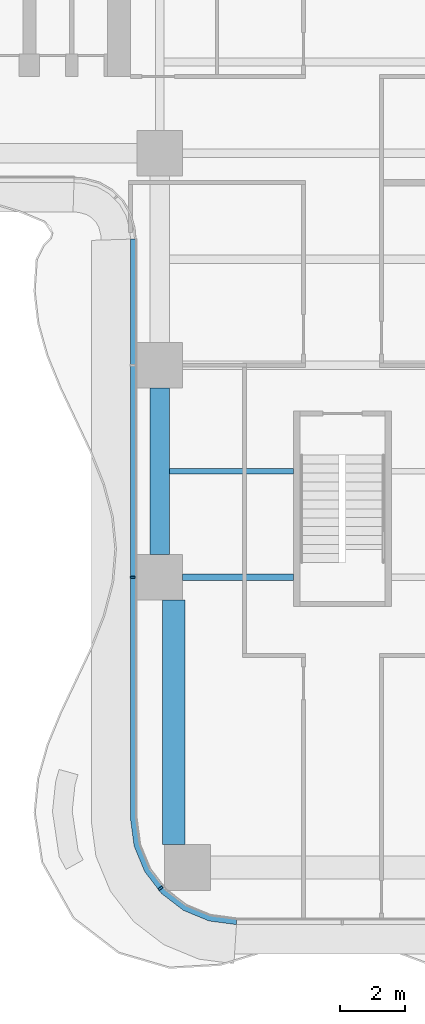
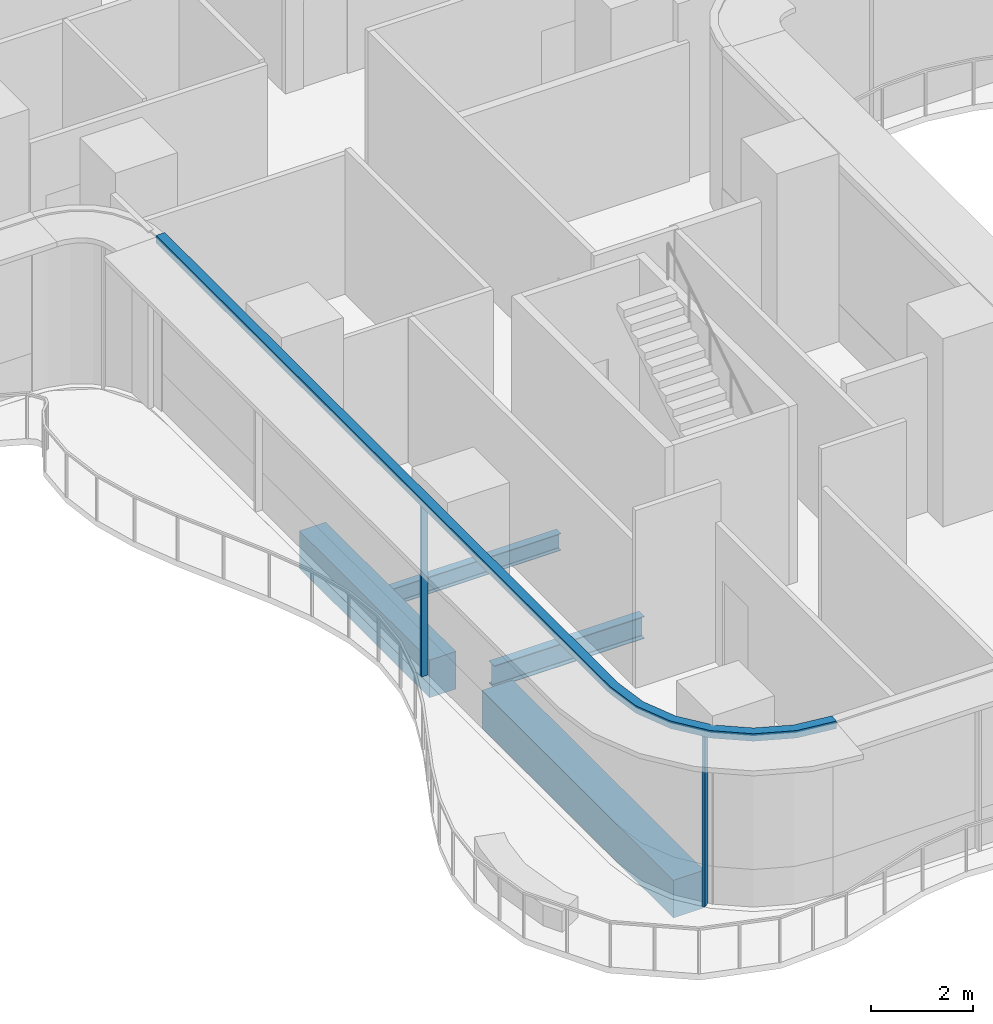
# One storey, part 2 of 23: 4 beams, 3 members, 1 element without a shape of its own.
"""IFC4 building model written with IfcOpenShell, lengths in metres."""

from ifc_helpers import new_model, si_unit, direction, frame, origin, origin_2d, place, context, subcontext, project, spatial, polyline, rectangle, i_section, outline, extrude, source, transform, mapped, material, layer, layer_set, material_profile, profile_set, type_object, element, aggregate, save


model = new_model("IFC4")

# Units and contexts
model_context = context("Model", 3, precision=1e-05, world=origin(), true_north=direction((0.0, 1.0)))
body_context = subcontext(model_context, "Body", "Model", "MODEL_VIEW")
ifc_project = project(units=[si_unit("LENGTHUNIT", "METRE"), si_unit("AREAUNIT", "SQUARE_METRE"), si_unit("VOLUMEUNIT", "CUBIC_METRE"), si_unit("PLANEANGLEUNIT", "RADIAN"), si_unit("MASSUNIT", "GRAM", prefix="KILO")], contexts=[model_context])

# Site, building, storey
site_placement = place(None, origin())
site = spatial("IfcSite", under=ifc_project, at=site_placement, CompositionType="ELEMENT")
building_placement = place(site_placement, origin())
building = spatial("IfcBuilding", under=site, at=building_placement, Name="Trellis Farm Tower", CompositionType="ELEMENT")
storey_placement = place(building_placement, frame((0.0, 0.0, 83.5)))
storey = spatial("IfcBuildingStorey", under=building, at=storey_placement, Name="L17", CompositionType="ELEMENT", Elevation=83.5)

# Beams
ifc_material_1 = material(Name="Steel S355", Category="steel")
ifc_material_profile_1 = material_profile(ifc_material_1, i_section(OverallWidth=0.209228515625, OverallDepth=0.533203125, WebThickness=0.010009765625, FlangeThickness=0.015625, FilletRadius=0.0126953125, at=origin_2d()), Name="UB 533x210x92")
ifc_profile_set_1 = profile_set([ifc_material_profile_1], Name="Steel S355")
beam_type_1 = type_object("IfcBeamType", Name="UB 533x210x92", PredefinedType="BEAM", material=ifc_profile_set_1)
shared_shape_1 = source(origin(), body_context, "Body", "SweptSolid", [
    extrude(i_section(OverallWidth=0.209228515625, OverallDepth=0.533203125, WebThickness=0.010009765625, FlangeThickness=0.015625, FilletRadius=0.0126953125, at=origin_2d()), origin(), (0.0, 0.0, 1.0), 3.39990234375),
])
beam_1_placement = place(storey_placement, frame((-4.89990234375, -18.60009765625, -0.5166015625), z_axis=(1.0, 0.0, 0.0), x_axis=(0.0, 1.0, 0.0)))
element("IfcBeam", 1, at=beam_1_placement, inside=storey, type_object=beam_type_1, Name="Girder", PredefinedType="BEAM", context=body_context, shape_type="MappedRepresentation", body=[
    mapped(shared_shape_1, transform((0.0, 0.0, 0.0))),
])
ifc_material_2 = material(Name="Concrete C60/75", Category="concrete")
ifc_material_profile_2 = material_profile(ifc_material_2, rectangle(XDim=0.60009765625, YDim=0.89990234375, at=origin_2d()), Name="RC spandrel beam 600x900 C60/75")
ifc_profile_set_2 = profile_set([ifc_material_profile_2], Name="Concrete C60/75")
beam_type_2 = type_object("IfcBeamType", Name="RC spandrel beam 600x900 C60/75", PredefinedType="SPANDREL", material=ifc_profile_set_2)
shared_shape_2 = source(origin(), body_context, "Body", "SweptSolid", [
    extrude(rectangle(XDim=0.60009765625, YDim=0.89990234375, at=origin_2d()), origin(), (0.0, 0.0, 1.0), 5.099853515625),
])
beam_2_placement = place(storey_placement, frame((-5.60009765625, -17.89990234375, -0.699951171875), z_axis=(0.0, 1.0, 0.0), x_axis=(-1.0, 0.0, 0.0)))
element("IfcBeam", 2, at=beam_2_placement, inside=storey, type_object=beam_type_2, Name="Girder", PredefinedType="SPANDREL", context=body_context, shape_type="MappedRepresentation", body=[
    mapped(shared_shape_2, transform((0.0, 0.0, 0.0))),
])
ifc_material_profile_3 = material_profile(ifc_material_2, rectangle(XDim=0.699951171875, YDim=0.89990234375, at=origin_2d()), Name="RC spandrel beam 700x900 C60/75")
ifc_profile_set_3 = profile_set([ifc_material_profile_3], Name="Concrete C60/75")
beam_type_3 = type_object("IfcBeamType", Name="RC spandrel beam 700x900 C60/75", PredefinedType="SPANDREL", material=ifc_profile_set_3)
shared_shape_3 = source(origin(), body_context, "Body", "SweptSolid", [
    extrude(rectangle(XDim=0.699951171875, YDim=0.89990234375, at=origin_2d()), origin(), (0.0, 0.0, 1.0), 7.5),
])
beam_3_placement = place(storey_placement, frame((-5.175048828125, -26.800048828125, -0.699951171875), z_axis=(0.0, 1.0, 0.0), x_axis=(-1.0, 0.0, 0.0)))
element("IfcBeam", 3, at=beam_3_placement, inside=storey, type_object=beam_type_3, Name="Girder", PredefinedType="SPANDREL", context=body_context, shape_type="MappedRepresentation", body=[
    mapped(shared_shape_3, transform((0.0, 0.0, 0.0))),
])
ifc_material_profile_4 = material_profile(ifc_material_1, i_section(OverallWidth=0.177978515625, OverallDepth=0.406494140625, WebThickness=0.0078125, FlangeThickness=0.0126953125, FilletRadius=0.01025390625, at=origin_2d()), Name="UB 406x178x60")
ifc_profile_set_4 = profile_set([ifc_material_profile_4], Name="Steel S355")
beam_type_4 = type_object("IfcBeamType", Name="UB 406x178x60 joist", PredefinedType="JOIST", material=ifc_profile_set_4)
shared_shape_4 = source(origin(), body_context, "Body", "SweptSolid", [
    extrude(i_section(OverallWidth=0.177978515625, OverallDepth=0.406494140625, WebThickness=0.0078125, FlangeThickness=0.0126953125, FilletRadius=0.01025390625, at=origin_2d()), origin(), (0.0, 0.0, 1.0), 3.800048828125),
])
beam_4_placement = place(storey_placement, frame((-5.300048828125, -15.35009765625, -0.453125), z_axis=(1.0, 0.0, 0.0), x_axis=(0.0, 1.0, 0.0)))
element("IfcBeam", 4, at=beam_4_placement, inside=storey, type_object=beam_type_4, Name="Floor beam", PredefinedType="JOIST", context=body_context, shape_type="MappedRepresentation", body=[
    mapped(shared_shape_4, transform((0.0, 0.0, 0.0))),
])

# Curtain wall, members
ifc_material_3 = material(Name="Aluminium and glass curtain wall", Category="aluminium")
ifc_layer_1 = layer(ifc_material_3, 0.18994140625)
ifc_layer_set_1 = layer_set([ifc_layer_1], Name="RIBBON CURTAIN WALL CW1")
curtain_wall_type = type_object("IfcCurtainWallType", Name="RIBBON CURTAIN WALL CW1", PredefinedType="NOTDEFINED", material=ifc_layer_set_1)
curtain_wall_placement = place(storey_placement, origin())
curtain_wall = element("IfcCurtainWall", 5, at=curtain_wall_placement, inside=storey, type_object=curtain_wall_type, Name="CW1 002", PredefinedType="NOTDEFINED")
ifc_material_4 = material(Name="Aluminium extrusion 6063-T6", Category="aluminium")
ifc_material_profile_5 = material_profile(ifc_material_4, rectangle(XDim=0.06005859375, YDim=0.14990234375, at=origin_2d()), Name="MULLION 60x150")
ifc_profile_set_5 = profile_set([ifc_material_profile_5], Name="Aluminium extrusion 6063-T6")
member_type_1 = type_object("IfcMemberType", Name="CW1 MULLION 60x150", PredefinedType="MULLION", material=ifc_profile_set_5)
shared_shape_5 = source(origin(), body_context, "Body", "SweptSolid", [
    extrude(rectangle(XDim=0.06005859375, YDim=0.14990234375, at=origin_2d()), origin(), (0.0, 0.0, 1.0), 4.070068359375),
])
member_1_placement = place(storey_placement, frame((-6.425048828125, -18.60009765625, 0.0), z_axis=(0.0, 0.0, 1.0), x_axis=(0.0, -1.0, 0.0)))
member_1 = element("IfcMember", 6, at=member_1_placement, type_object=member_type_1, Name="MU1 002-02", PredefinedType="MULLION", context=body_context, shape_type="MappedRepresentation", body=[
    mapped(shared_shape_5, transform((0.0, 0.0, 0.0))),
])
member_2_placement = place(storey_placement, frame((-5.578369140625, -28.135498046875, 0.0), z_axis=(0.0, 0.0, 1.0), x_axis=(0.608761429009, -0.793353340291, 0.0)))
member_2 = element("IfcMember", 7, at=member_2_placement, type_object=member_type_1, Name="MU1 002-03", PredefinedType="MULLION", context=body_context, shape_type="MappedRepresentation", body=[
    mapped(shared_shape_5, transform((0.0, 0.0, 0.0))),
])
ifc_layer_2 = layer(ifc_material_4, 0.199951171875)
ifc_layer_set_2 = layer_set([ifc_layer_2], Name="Aluminium extrusion 6063-T6")
member_type_2 = type_object("IfcMemberType", Name="CW1 TRANSOM 200x180", PredefinedType="USERDEFINED", material=ifc_layer_set_2)
shared_shape_6 = source(origin(), body_context, "Body", "SweptSolid", [
    extrude(outline(polyline([(-6.5, -8.2314453125), (-6.5, -26.0), (-6.38916015625, -26.841064453125), (-6.064697265625, -27.625), (-5.548095703125, -28.298095703125), (-4.875, -28.814697265625), (-4.091064453125, -29.13916015625), (-3.25, -29.25), (-3.23681640625, -29.050048828125), (-4.0390625, -28.9443359375), (-4.774169921875, -28.639892578125), (-5.405517578125, -28.155517578125), (-5.889892578125, -27.524169921875), (-6.1943359375, -26.7890625), (-6.300048828125, -25.98681640625), (-6.300048828125, -8.224853515625), (-6.5, -8.2314453125)])), origin(), (0.0, 0.0, 1.0), 0.179931640625),
])
member_3_placement = place(storey_placement, frame((0.0, 0.0, 4.070068359375)))
member_3 = element("IfcMember", 8, at=member_3_placement, type_object=member_type_2, Name="TR1 002", ObjectType="TRANSOM", PredefinedType="USERDEFINED", context=body_context, shape_type="MappedRepresentation", body=[
    mapped(shared_shape_6, transform((0.0, 0.0, 0.0))),
])
aggregate(curtain_wall, [member_1, member_2, member_3])

save(model, "model.ifc")
